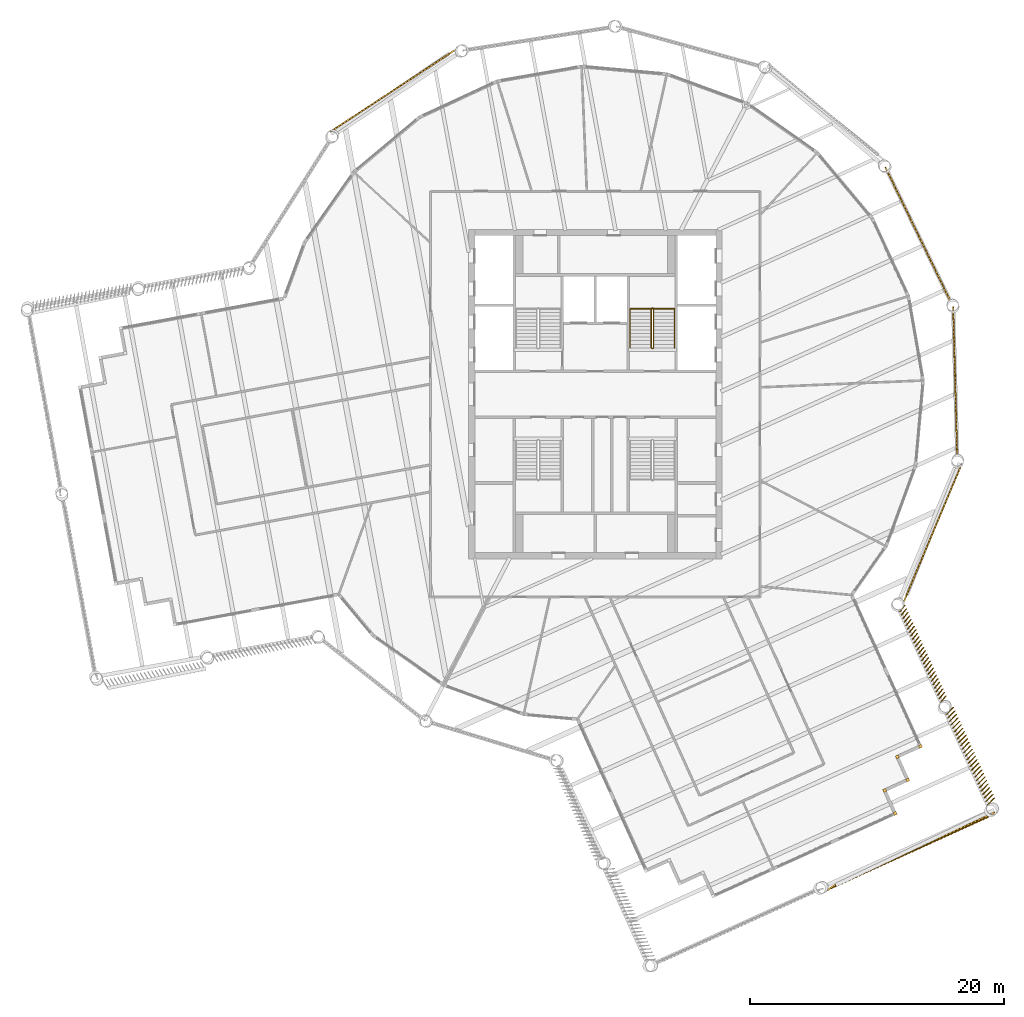
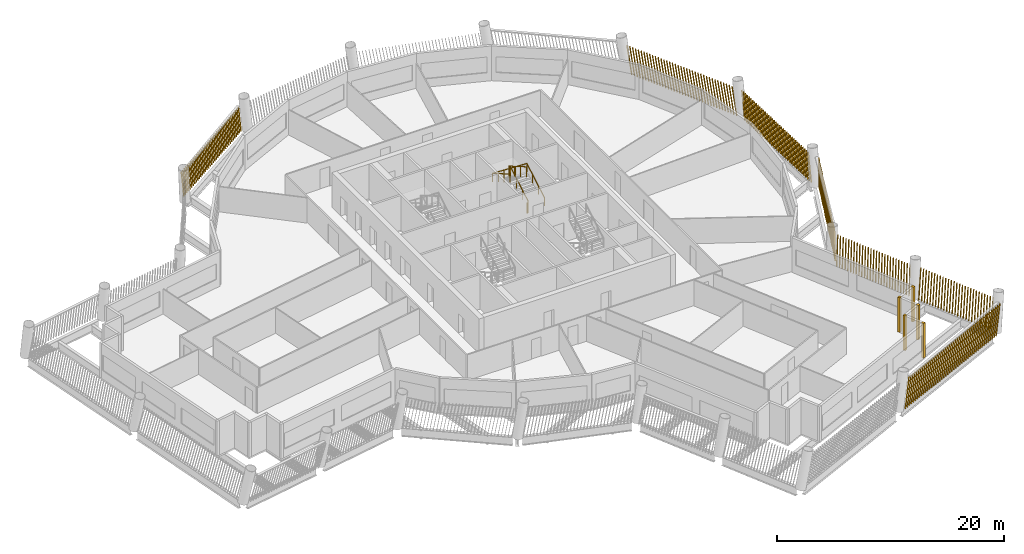
# One storey, part 13 of 15: 12 shading devices, 2 railings.
"""IFC4 building model written with IfcOpenShell, lengths in metres."""

from ifc_helpers import new_model, si_unit, direction, frame, frame_2d, origin, origin_2d, place, context, subcontext, project, spatial, rectangle, circle, composite_profile, extrude, material, type_object, element, save


model = new_model("IFC4")

# Units and contexts
model_context = context("Model", 3, precision=1e-05, world=origin(), true_north=direction((0.0, 1.0)))
body_context = subcontext(model_context, "Body", "Model", "MODEL_VIEW")
ifc_project = project(units=[si_unit("LENGTHUNIT", "METRE"), si_unit("AREAUNIT", "SQUARE_METRE"), si_unit("VOLUMEUNIT", "CUBIC_METRE"), si_unit("PLANEANGLEUNIT", "RADIAN"), si_unit("MASSUNIT", "GRAM", prefix="KILO")], contexts=[model_context])

# Site, building, storey
site_placement = place(None, origin())
site = spatial("IfcSite", under=ifc_project, at=site_placement, CompositionType="ELEMENT")
building_placement = place(site_placement, origin())
building = spatial("IfcBuilding", under=site, at=building_placement, Name="Tarsis Ring Headquarters", CompositionType="ELEMENT")
storey_placement = place(building_placement, frame((0.0, 0.0, 327.5)))
storey = spatial("IfcBuildingStorey", under=building, at=storey_placement, Name="L77", CompositionType="ELEMENT", Elevation=327.5)

# Railings
ifc_material_1 = material(Name="Steel S355", Category="steel")
railing_type_1 = type_object("IfcRailingType", Name="Core stair guard 1100", PredefinedType="GUARDRAIL", material=ifc_material_1)
railing_1_placement = place(storey_placement, frame((4.4599609375, 3.610107421875, 0.0)))
element("IfcRailing", 1, at=railing_1_placement, inside=storey, type_object=railing_type_1, Name="L77 ST2 stair guard 1", PredefinedType="GUARDRAIL", context=body_context, shape_type="SweptSolid", body=[
    extrude(circle(Radius=0.02392578125, at=origin_2d()), frame((0.0, 0.0, 1.076171875), z_axis=(1.0, 0.0, 0.0), x_axis=(0.0, 1.0, 0.0)), (0.0, 0.0, 1.0), 0.080078125),
    extrude(circle(Radius=0.02392578125, at=origin_2d()), frame((0.080078125, 0.0, 1.076171875), z_axis=(0.282336740067, 0.280959487676, 0.917250092119), x_axis=(-0.705375805398, 0.708833529934, 0.0)), (0.0, 0.0, 1.0), 0.17724609375),
    extrude(circle(Radius=0.02392578125, at=origin_2d()), frame((0.130126953125, 0.0498046875, 1.23876953125), z_axis=(0.0, 0.864920483161, 0.501908913857), x_axis=(-1.0, 0.0, 0.0)), (0.0, 0.0, 1.0), 3.56103515625),
    extrude(circle(Radius=0.02392578125, at=origin_2d()), frame((0.130126953125, 3.1298828125, 3.02587890625), z_axis=(-0.707106781187, 0.707106781187, 0.0), x_axis=(-0.707106781187, -0.707106781187, 0.0)), (0.0, 0.0, 1.0), 0.07080078125),
    extrude(circle(Radius=0.02392578125, at=origin_2d()), frame((0.080078125, 3.179931640625, 3.02587890625), z_axis=(-1.0, 0.0, 0.0), x_axis=(0.0, -1.0, 0.0)), (0.0, 0.0, 1.0), 0.080078125),
    extrude(circle(Radius=0.02392578125, at=origin_2d()), frame((0.0, 3.179931640625, 3.02587890625), z_axis=(-0.282227285176, -0.282227285176, 0.916894497205), x_axis=(0.707106781187, -0.707106781187, 0.0)), (0.0, 0.0, 1.0), 0.17724609375),
    extrude(circle(Radius=0.02392578125, at=origin_2d()), frame((-0.050048828125, 3.1298828125, 3.1884765625), z_axis=(0.0, -0.864920483161, 0.501908913857), x_axis=(1.0, 0.0, 0.0)), (0.0, 0.0, 1.0), 3.56103515625),
    extrude(circle(Radius=0.02099609375, at=origin_2d()), origin(), (0.0, 0.0, 1.0), 1.052001953125),
    extrude(circle(Radius=0.02099609375, at=origin_2d()), frame((0.080078125, 0.0, 0.0)), (0.0, 0.0, 1.0), 1.052001953125),
    extrude(circle(Radius=0.02099609375, at=origin_2d()), frame((0.130126953125, 0.0498046875, 0.16259765625)), (0.0, 0.0, 1.0), 1.052001953125),
    extrude(circle(Radius=0.02099609375, at=origin_2d()), frame((0.130126953125, 1.076416015625, 0.75830078125)), (0.0, 0.0, 1.0), 1.052001953125),
    extrude(circle(Radius=0.02099609375, at=origin_2d()), frame((0.130126953125, 2.103271484375, 1.354248046875)), (0.0, 0.0, 1.0), 1.052001953125),
    extrude(circle(Radius=0.02099609375, at=origin_2d()), frame((0.130126953125, 3.1298828125, 1.949951171875)), (0.0, 0.0, 1.0), 1.052001953125),
    extrude(circle(Radius=0.02099609375, at=origin_2d()), frame((0.080078125, 3.179931640625, 1.949951171875)), (0.0, 0.0, 1.0), 1.052001953125),
    extrude(circle(Radius=0.02099609375, at=origin_2d()), frame((0.0, 3.179931640625, 1.949951171875)), (0.0, 0.0, 1.0), 1.052001953125),
    extrude(circle(Radius=0.02099609375, at=origin_2d()), frame((-0.050048828125, 3.1298828125, 2.112548828125)), (0.0, 0.0, 1.0), 1.052001953125),
    extrude(circle(Radius=0.02099609375, at=origin_2d()), frame((-0.050048828125, 2.103271484375, 2.708251953125)), (0.0, 0.0, 1.0), 1.052001953125),
    extrude(circle(Radius=0.02099609375, at=origin_2d()), frame((-0.050048828125, 1.076416015625, 3.30419921875)), (0.0, 0.0, 1.0), 1.052001953125),
    extrude(circle(Radius=0.02099609375, at=origin_2d()), frame((-0.050048828125, 0.0498046875, 3.89990234375)), (0.0, 0.0, 1.0), 1.052001953125),
])
railing_type_2 = type_object("IfcRailingType", Name="Core stair handrail 900", PredefinedType="HANDRAIL", material=ifc_material_1)
railing_2_placement = place(storey_placement, frame((6.25, 3.659912109375, 0.16259765625)))
element("IfcRailing", 2, at=railing_2_placement, inside=storey, type_object=railing_type_2, Name="L77 ST2 stair handrail 1", PredefinedType="HANDRAIL", context=body_context, shape_type="SweptSolid", body=[
    extrude(circle(Radius=0.02392578125, at=origin_2d()), frame((0.0, 0.0, 0.8759765625), z_axis=(0.0, 0.864920483161, 0.501908913857), x_axis=(-1.0, 0.0, 0.0)), (0.0, 0.0, 1.0), 3.56103515625),
    extrude(circle(Radius=0.02392578125, at=origin_2d()), frame((0.0, 3.080078125, 2.6630859375), z_axis=(-0.998922641604, 0.0, 0.046406422943), x_axis=(0.0, -1.0, 0.0)), (0.0, 0.0, 1.0), 3.503662109375),
    extrude(circle(Radius=0.02392578125, at=origin_2d()), frame((-3.5, 3.080078125, 2.82568359375), z_axis=(0.0, -0.864920483161, 0.501908913857), x_axis=(1.0, 0.0, 0.0)), (0.0, 0.0, 1.0), 3.56103515625),
    extrude(circle(Radius=0.02099609375, at=origin_2d()), origin(), (0.0, 0.0, 1.0), 0.851806640625),
    extrude(circle(Radius=0.02099609375, at=origin_2d()), frame((0.0, 1.026611328125, 0.595703125)), (0.0, 0.0, 1.0), 0.851806640625),
    extrude(circle(Radius=0.02099609375, at=origin_2d()), frame((0.0, 2.053466796875, 1.191650390625)), (0.0, 0.0, 1.0), 0.851806640625),
    extrude(circle(Radius=0.02099609375, at=origin_2d()), frame((0.0, 3.080078125, 1.787353515625)), (0.0, 0.0, 1.0), 0.851806640625),
    extrude(circle(Radius=0.02099609375, at=origin_2d()), frame((-1.166748046875, 3.080078125, 1.841552734375)), (0.0, 0.0, 1.0), 0.851806640625),
    extrude(circle(Radius=0.02099609375, at=origin_2d()), frame((-2.333251953125, 3.080078125, 1.895751953125)), (0.0, 0.0, 1.0), 0.851806640625),
    extrude(circle(Radius=0.02099609375, at=origin_2d()), frame((-3.5, 3.080078125, 1.949951171875)), (0.0, 0.0, 1.0), 0.851806640625),
    extrude(circle(Radius=0.02099609375, at=origin_2d()), frame((-3.5, 2.053466796875, 2.545654296875)), (0.0, 0.0, 1.0), 0.851806640625),
    extrude(circle(Radius=0.02099609375, at=origin_2d()), frame((-3.5, 1.026611328125, 3.1416015625)), (0.0, 0.0, 1.0), 0.851806640625),
    extrude(circle(Radius=0.02099609375, at=origin_2d()), frame((-3.5, 0.0, 3.7373046875)), (0.0, 0.0, 1.0), 0.851806640625),
])

# Shading devices
ifc_material_2 = material(Name="Terracotta baguette", Category="masonry")
shading_device_type_1 = type_object("IfcShadingDeviceType", Name="Terracotta baguette screen", PredefinedType="USERDEFINED", material=ifc_material_2)
shading_device_1_placement = place(storey_placement, frame((18.291015625, -39.1123046875, 0.0), z_axis=(0.0, 0.0, 1.0), x_axis=(0.910678271946, 0.413101935393, 0.0)))
element("IfcShadingDevice", 3, at=shading_device_1_placement, inside=storey, type_object=shading_device_type_1, Name="Baguette screen L77-04", ObjectType="Terracotta baguette screen", PredefinedType="USERDEFINED", context=body_context, shape_type="SweptSolid", body=[
    extrude(composite_profile([rectangle(XDim=0.06005859375, YDim=0.1201171875, at=frame_2d((0.030029296875, 0.0))), rectangle(XDim=0.06005859375, YDim=0.1201171875, at=frame_2d((0.33544921875, 0.0))), rectangle(XDim=0.06005859375, YDim=0.1201171875, at=frame_2d((0.640625, 0.0))), rectangle(XDim=0.06005859375, YDim=0.1201171875, at=frame_2d((0.946044921875, 0.0))), rectangle(XDim=0.06005859375, YDim=0.1201171875, at=frame_2d((1.25146484375, 0.0))), rectangle(XDim=0.06005859375, YDim=0.1201171875, at=frame_2d((1.556640625, 0.0))), rectangle(XDim=0.06005859375, YDim=0.1201171875, at=frame_2d((1.862060546875, 0.0))), rectangle(XDim=0.06005859375, YDim=0.1201171875, at=frame_2d((2.16748046875, 0.0))), rectangle(XDim=0.06005859375, YDim=0.1201171875, at=frame_2d((2.47265625, 0.0))), rectangle(XDim=0.06005859375, YDim=0.1201171875, at=frame_2d((2.778076171875, 0.0))), rectangle(XDim=0.06005859375, YDim=0.1201171875, at=frame_2d((3.08349609375, 0.0))), rectangle(XDim=0.06005859375, YDim=0.1201171875, at=frame_2d((3.388671875, 0.0))), rectangle(XDim=0.06005859375, YDim=0.1201171875, at=frame_2d((3.694091796875, 0.0))), rectangle(XDim=0.06005859375, YDim=0.1201171875, at=frame_2d((3.99951171875, 0.0))), rectangle(XDim=0.06005859375, YDim=0.1201171875, at=frame_2d((4.3046875, 0.0))), rectangle(XDim=0.06005859375, YDim=0.1201171875, at=frame_2d((4.610107421875, 0.0))), rectangle(XDim=0.06005859375, YDim=0.1201171875, at=frame_2d((4.91552734375, 0.0))), rectangle(XDim=0.06005859375, YDim=0.1201171875, at=frame_2d((5.220703125, 0.0))), rectangle(XDim=0.06005859375, YDim=0.1201171875, at=frame_2d((5.526123046875, 0.0))), rectangle(XDim=0.06005859375, YDim=0.1201171875, at=frame_2d((5.83154296875, 0.0))), rectangle(XDim=0.06005859375, YDim=0.1201171875, at=frame_2d((6.13671875, 0.0))), rectangle(XDim=0.06005859375, YDim=0.1201171875, at=frame_2d((6.442138671875, 0.0))), rectangle(XDim=0.06005859375, YDim=0.1201171875, at=frame_2d((6.74755859375, 0.0))), rectangle(XDim=0.06005859375, YDim=0.1201171875, at=frame_2d((7.052734375, 0.0))), rectangle(XDim=0.06005859375, YDim=0.1201171875, at=frame_2d((7.358154296875, 0.0))), rectangle(XDim=0.06005859375, YDim=0.1201171875, at=frame_2d((7.66357421875, 0.0))), rectangle(XDim=0.06005859375, YDim=0.1201171875, at=frame_2d((7.96875, 0.0))), rectangle(XDim=0.06005859375, YDim=0.1201171875, at=frame_2d((8.274169921875, 0.0))), rectangle(XDim=0.06005859375, YDim=0.1201171875, at=frame_2d((8.57958984375, 0.0))), rectangle(XDim=0.06005859375, YDim=0.1201171875, at=frame_2d((8.884765625, 0.0))), rectangle(XDim=0.06005859375, YDim=0.1201171875, at=frame_2d((9.190185546875, 0.0))), rectangle(XDim=0.06005859375, YDim=0.1201171875, at=frame_2d((9.49560546875, 0.0))), rectangle(XDim=0.06005859375, YDim=0.1201171875, at=frame_2d((9.80078125, 0.0))), rectangle(XDim=0.06005859375, YDim=0.1201171875, at=frame_2d((10.106201171875, 0.0))), rectangle(XDim=0.06005859375, YDim=0.1201171875, at=frame_2d((10.41162109375, 0.0))), rectangle(XDim=0.06005859375, YDim=0.1201171875, at=frame_2d((10.716796875, 0.0))), rectangle(XDim=0.06005859375, YDim=0.1201171875, at=frame_2d((11.022216796875, 0.0))), rectangle(XDim=0.06005859375, YDim=0.1201171875, at=frame_2d((11.32763671875, 0.0))), rectangle(XDim=0.06005859375, YDim=0.1201171875, at=frame_2d((11.6328125, 0.0))), rectangle(XDim=0.06005859375, YDim=0.1201171875, at=frame_2d((11.938232421875, 0.0))), rectangle(XDim=0.06005859375, YDim=0.1201171875, at=frame_2d((12.24365234375, 0.0))), rectangle(XDim=0.06005859375, YDim=0.1201171875, at=frame_2d((12.548828125, 0.0))), rectangle(XDim=0.06005859375, YDim=0.1201171875, at=frame_2d((12.854248046875, 0.0))), rectangle(XDim=0.06005859375, YDim=0.1201171875, at=frame_2d((13.15966796875, 0.0))), rectangle(XDim=0.06005859375, YDim=0.1201171875, at=frame_2d((13.46484375, 0.0))), rectangle(XDim=0.06005859375, YDim=0.1201171875, at=frame_2d((13.770263671875, 0.0)))]), origin(), (0.254658337871, 0.046030296973, 0.965934957807), 3.072509765625),
])
shading_device_2_placement = place(storey_placement, frame((30.952392578125, -32.407958984375, 0.0), z_axis=(0.0, 0.0, 1.0), x_axis=(-0.413093178448, 0.910683391003, 0.0)))
element("IfcShadingDevice", 4, at=shading_device_2_placement, inside=storey, type_object=shading_device_type_1, Name="Baguette screen L77-05", ObjectType="Terracotta baguette screen", PredefinedType="USERDEFINED", context=body_context, shape_type="SweptSolid", body=[
    extrude(composite_profile([rectangle(XDim=0.06005859375, YDim=0.1201171875, at=frame_2d((0.030029296875, 0.0))), rectangle(XDim=0.06005859375, YDim=0.1201171875, at=frame_2d((0.33154296875, 0.0))), rectangle(XDim=0.06005859375, YDim=0.1201171875, at=frame_2d((0.63330078125, 0.0))), rectangle(XDim=0.06005859375, YDim=0.1201171875, at=frame_2d((0.934814453125, 0.0))), rectangle(XDim=0.06005859375, YDim=0.1201171875, at=frame_2d((1.236572265625, 0.0))), rectangle(XDim=0.06005859375, YDim=0.1201171875, at=frame_2d((1.5380859375, 0.0))), rectangle(XDim=0.06005859375, YDim=0.1201171875, at=frame_2d((1.83984375, 0.0))), rectangle(XDim=0.06005859375, YDim=0.1201171875, at=frame_2d((2.141357421875, 0.0))), rectangle(XDim=0.06005859375, YDim=0.1201171875, at=frame_2d((2.443115234375, 0.0))), rectangle(XDim=0.06005859375, YDim=0.1201171875, at=frame_2d((2.74462890625, 0.0))), rectangle(XDim=0.06005859375, YDim=0.1201171875, at=frame_2d((3.04638671875, 0.0))), rectangle(XDim=0.06005859375, YDim=0.1201171875, at=frame_2d((3.347900390625, 0.0))), rectangle(XDim=0.06005859375, YDim=0.1201171875, at=frame_2d((3.649658203125, 0.0))), rectangle(XDim=0.06005859375, YDim=0.1201171875, at=frame_2d((3.951171875, 0.0))), rectangle(XDim=0.06005859375, YDim=0.1201171875, at=frame_2d((4.252685546875, 0.0))), rectangle(XDim=0.06005859375, YDim=0.1201171875, at=frame_2d((4.554443359375, 0.0))), rectangle(XDim=0.06005859375, YDim=0.1201171875, at=frame_2d((4.85595703125, 0.0))), rectangle(XDim=0.06005859375, YDim=0.1201171875, at=frame_2d((5.15771484375, 0.0))), rectangle(XDim=0.06005859375, YDim=0.1201171875, at=frame_2d((5.459228515625, 0.0))), rectangle(XDim=0.06005859375, YDim=0.1201171875, at=frame_2d((5.760986328125, 0.0))), rectangle(XDim=0.06005859375, YDim=0.1201171875, at=frame_2d((6.0625, 0.0))), rectangle(XDim=0.06005859375, YDim=0.1201171875, at=frame_2d((6.3642578125, 0.0))), rectangle(XDim=0.06005859375, YDim=0.1201171875, at=frame_2d((6.665771484375, 0.0))), rectangle(XDim=0.06005859375, YDim=0.1201171875, at=frame_2d((6.967529296875, 0.0))), rectangle(XDim=0.06005859375, YDim=0.1201171875, at=frame_2d((7.26904296875, 0.0))), rectangle(XDim=0.06005859375, YDim=0.1201171875, at=frame_2d((7.57080078125, 0.0))), rectangle(XDim=0.06005859375, YDim=0.1201171875, at=frame_2d((7.872314453125, 0.0)))]), origin(), (0.089849321494, -0.226658842464, 0.969821049761), 3.06005859375),
])
shading_device_3_placement = place(storey_placement, frame((27.27490234375, -24.30078125, 0.0), z_axis=(0.0, 0.0, 1.0), x_axis=(-0.413105941236, 0.910680631507, 0.0)))
element("IfcShadingDevice", 5, at=shading_device_3_placement, inside=storey, type_object=shading_device_type_1, Name="Baguette screen L77-06", ObjectType="Terracotta baguette screen", PredefinedType="USERDEFINED", context=body_context, shape_type="SweptSolid", body=[
    extrude(composite_profile([rectangle(XDim=0.06005859375, YDim=0.1201171875, at=frame_2d((0.030029296875, 0.0))), rectangle(XDim=0.06005859375, YDim=0.1201171875, at=frame_2d((0.33154296875, 0.0))), rectangle(XDim=0.06005859375, YDim=0.1201171875, at=frame_2d((0.63330078125, 0.0))), rectangle(XDim=0.06005859375, YDim=0.1201171875, at=frame_2d((0.934814453125, 0.0))), rectangle(XDim=0.06005859375, YDim=0.1201171875, at=frame_2d((1.236572265625, 0.0))), rectangle(XDim=0.06005859375, YDim=0.1201171875, at=frame_2d((1.5380859375, 0.0))), rectangle(XDim=0.06005859375, YDim=0.1201171875, at=frame_2d((1.83984375, 0.0))), rectangle(XDim=0.06005859375, YDim=0.1201171875, at=frame_2d((2.141357421875, 0.0))), rectangle(XDim=0.06005859375, YDim=0.1201171875, at=frame_2d((2.443115234375, 0.0))), rectangle(XDim=0.06005859375, YDim=0.1201171875, at=frame_2d((2.74462890625, 0.0))), rectangle(XDim=0.06005859375, YDim=0.1201171875, at=frame_2d((3.04638671875, 0.0))), rectangle(XDim=0.06005859375, YDim=0.1201171875, at=frame_2d((3.347900390625, 0.0))), rectangle(XDim=0.06005859375, YDim=0.1201171875, at=frame_2d((3.649658203125, 0.0))), rectangle(XDim=0.06005859375, YDim=0.1201171875, at=frame_2d((3.951171875, 0.0))), rectangle(XDim=0.06005859375, YDim=0.1201171875, at=frame_2d((4.252685546875, 0.0))), rectangle(XDim=0.06005859375, YDim=0.1201171875, at=frame_2d((4.554443359375, 0.0))), rectangle(XDim=0.06005859375, YDim=0.1201171875, at=frame_2d((4.85595703125, 0.0))), rectangle(XDim=0.06005859375, YDim=0.1201171875, at=frame_2d((5.15771484375, 0.0))), rectangle(XDim=0.06005859375, YDim=0.1201171875, at=frame_2d((5.459228515625, 0.0))), rectangle(XDim=0.06005859375, YDim=0.1201171875, at=frame_2d((5.760986328125, 0.0))), rectangle(XDim=0.06005859375, YDim=0.1201171875, at=frame_2d((6.0625, 0.0))), rectangle(XDim=0.06005859375, YDim=0.1201171875, at=frame_2d((6.3642578125, 0.0))), rectangle(XDim=0.06005859375, YDim=0.1201171875, at=frame_2d((6.665771484375, 0.0))), rectangle(XDim=0.06005859375, YDim=0.1201171875, at=frame_2d((6.967529296875, 0.0))), rectangle(XDim=0.06005859375, YDim=0.1201171875, at=frame_2d((7.26904296875, 0.0))), rectangle(XDim=0.06005859375, YDim=0.1201171875, at=frame_2d((7.57080078125, 0.0))), rectangle(XDim=0.06005859375, YDim=0.1201171875, at=frame_2d((7.872314453125, 0.0)))]), origin(), (0.090331685738, -0.175734834187, 0.980284374355), 3.02734375),
])
shading_device_4_placement = place(storey_placement, frame((24.34326171875, -16.33349609375, 0.0), z_axis=(0.0, 0.0, 1.0), x_axis=(0.387490233527, 0.921868217727, 0.0)))
element("IfcShadingDevice", 6, at=shading_device_4_placement, inside=storey, type_object=shading_device_type_1, Name="Baguette screen L77-07", ObjectType="Terracotta baguette screen", PredefinedType="USERDEFINED", context=body_context, shape_type="SweptSolid", body=[
    extrude(composite_profile([rectangle(XDim=0.06005859375, YDim=0.1201171875, at=frame_2d((0.030029296875, 0.0))), rectangle(XDim=0.06005859375, YDim=0.1201171875, at=frame_2d((0.33251953125, 0.0))), rectangle(XDim=0.06005859375, YDim=0.1201171875, at=frame_2d((0.634765625, 0.0))), rectangle(XDim=0.06005859375, YDim=0.1201171875, at=frame_2d((0.937255859375, 0.0))), rectangle(XDim=0.06005859375, YDim=0.1201171875, at=frame_2d((1.239501953125, 0.0))), rectangle(XDim=0.06005859375, YDim=0.1201171875, at=frame_2d((1.5419921875, 0.0))), rectangle(XDim=0.06005859375, YDim=0.1201171875, at=frame_2d((1.844482421875, 0.0))), rectangle(XDim=0.06005859375, YDim=0.1201171875, at=frame_2d((2.146728515625, 0.0))), rectangle(XDim=0.06005859375, YDim=0.1201171875, at=frame_2d((2.44921875, 0.0))), rectangle(XDim=0.06005859375, YDim=0.1201171875, at=frame_2d((2.751708984375, 0.0))), rectangle(XDim=0.06005859375, YDim=0.1201171875, at=frame_2d((3.053955078125, 0.0))), rectangle(XDim=0.06005859375, YDim=0.1201171875, at=frame_2d((3.3564453125, 0.0))), rectangle(XDim=0.06005859375, YDim=0.1201171875, at=frame_2d((3.65869140625, 0.0))), rectangle(XDim=0.06005859375, YDim=0.1201171875, at=frame_2d((3.961181640625, 0.0))), rectangle(XDim=0.06005859375, YDim=0.1201171875, at=frame_2d((4.263671875, 0.0))), rectangle(XDim=0.06005859375, YDim=0.1201171875, at=frame_2d((4.56591796875, 0.0))), rectangle(XDim=0.06005859375, YDim=0.1201171875, at=frame_2d((4.868408203125, 0.0))), rectangle(XDim=0.06005859375, YDim=0.1201171875, at=frame_2d((5.1708984375, 0.0))), rectangle(XDim=0.06005859375, YDim=0.1201171875, at=frame_2d((5.47314453125, 0.0))), rectangle(XDim=0.06005859375, YDim=0.1201171875, at=frame_2d((5.775634765625, 0.0))), rectangle(XDim=0.06005859375, YDim=0.1201171875, at=frame_2d((6.077880859375, 0.0))), rectangle(XDim=0.06005859375, YDim=0.1201171875, at=frame_2d((6.38037109375, 0.0))), rectangle(XDim=0.06005859375, YDim=0.1201171875, at=frame_2d((6.682861328125, 0.0))), rectangle(XDim=0.06005859375, YDim=0.1201171875, at=frame_2d((6.985107421875, 0.0))), rectangle(XDim=0.06005859375, YDim=0.1201171875, at=frame_2d((7.28759765625, 0.0))), rectangle(XDim=0.06005859375, YDim=0.1201171875, at=frame_2d((7.590087890625, 0.0))), rectangle(XDim=0.06005859375, YDim=0.1201171875, at=frame_2d((7.892333984375, 0.0))), rectangle(XDim=0.06005859375, YDim=0.1201171875, at=frame_2d((8.19482421875, 0.0))), rectangle(XDim=0.06005859375, YDim=0.1201171875, at=frame_2d((8.4970703125, 0.0))), rectangle(XDim=0.06005859375, YDim=0.1201171875, at=frame_2d((8.799560546875, 0.0))), rectangle(XDim=0.06005859375, YDim=0.1201171875, at=frame_2d((9.10205078125, 0.0))), rectangle(XDim=0.06005859375, YDim=0.1201171875, at=frame_2d((9.404296875, 0.0))), rectangle(XDim=0.06005859375, YDim=0.1201171875, at=frame_2d((9.706787109375, 0.0))), rectangle(XDim=0.06005859375, YDim=0.1201171875, at=frame_2d((10.00927734375, 0.0))), rectangle(XDim=0.06005859375, YDim=0.1201171875, at=frame_2d((10.3115234375, 0.0))), rectangle(XDim=0.06005859375, YDim=0.1201171875, at=frame_2d((10.614013671875, 0.0))), rectangle(XDim=0.06005859375, YDim=0.1201171875, at=frame_2d((10.916259765625, 0.0))), rectangle(XDim=0.06005859375, YDim=0.1201171875, at=frame_2d((11.21875, 0.0)))]), origin(), (0.173292731134, 0.001572553366, 0.984869106233), 3.013427734375),
])
shading_device_5_placement = place(storey_placement, frame((28.536865234375, -4.857421875, 0.0), z_axis=(0.0, 0.0, 1.0), x_axis=(-0.026955464884, 0.999631044361, 0.0)))
element("IfcShadingDevice", 7, at=shading_device_5_placement, inside=storey, type_object=shading_device_type_1, Name="Baguette screen L77-08", ObjectType="Terracotta baguette screen", PredefinedType="USERDEFINED", context=body_context, shape_type="SweptSolid", body=[
    extrude(composite_profile([rectangle(XDim=0.06005859375, YDim=0.1201171875, at=frame_2d((0.030029296875, 0.0))), rectangle(XDim=0.06005859375, YDim=0.1201171875, at=frame_2d((0.33251953125, 0.0))), rectangle(XDim=0.06005859375, YDim=0.1201171875, at=frame_2d((0.634765625, 0.0))), rectangle(XDim=0.06005859375, YDim=0.1201171875, at=frame_2d((0.937255859375, 0.0))), rectangle(XDim=0.06005859375, YDim=0.1201171875, at=frame_2d((1.239501953125, 0.0))), rectangle(XDim=0.06005859375, YDim=0.1201171875, at=frame_2d((1.5419921875, 0.0))), rectangle(XDim=0.06005859375, YDim=0.1201171875, at=frame_2d((1.844482421875, 0.0))), rectangle(XDim=0.06005859375, YDim=0.1201171875, at=frame_2d((2.146728515625, 0.0))), rectangle(XDim=0.06005859375, YDim=0.1201171875, at=frame_2d((2.44921875, 0.0))), rectangle(XDim=0.06005859375, YDim=0.1201171875, at=frame_2d((2.751708984375, 0.0))), rectangle(XDim=0.06005859375, YDim=0.1201171875, at=frame_2d((3.053955078125, 0.0))), rectangle(XDim=0.06005859375, YDim=0.1201171875, at=frame_2d((3.3564453125, 0.0))), rectangle(XDim=0.06005859375, YDim=0.1201171875, at=frame_2d((3.65869140625, 0.0))), rectangle(XDim=0.06005859375, YDim=0.1201171875, at=frame_2d((3.961181640625, 0.0))), rectangle(XDim=0.06005859375, YDim=0.1201171875, at=frame_2d((4.263671875, 0.0))), rectangle(XDim=0.06005859375, YDim=0.1201171875, at=frame_2d((4.56591796875, 0.0))), rectangle(XDim=0.06005859375, YDim=0.1201171875, at=frame_2d((4.868408203125, 0.0))), rectangle(XDim=0.06005859375, YDim=0.1201171875, at=frame_2d((5.1708984375, 0.0))), rectangle(XDim=0.06005859375, YDim=0.1201171875, at=frame_2d((5.47314453125, 0.0))), rectangle(XDim=0.06005859375, YDim=0.1201171875, at=frame_2d((5.775634765625, 0.0))), rectangle(XDim=0.06005859375, YDim=0.1201171875, at=frame_2d((6.077880859375, 0.0))), rectangle(XDim=0.06005859375, YDim=0.1201171875, at=frame_2d((6.38037109375, 0.0))), rectangle(XDim=0.06005859375, YDim=0.1201171875, at=frame_2d((6.682861328125, 0.0))), rectangle(XDim=0.06005859375, YDim=0.1201171875, at=frame_2d((6.985107421875, 0.0))), rectangle(XDim=0.06005859375, YDim=0.1201171875, at=frame_2d((7.28759765625, 0.0))), rectangle(XDim=0.06005859375, YDim=0.1201171875, at=frame_2d((7.590087890625, 0.0))), rectangle(XDim=0.06005859375, YDim=0.1201171875, at=frame_2d((7.892333984375, 0.0))), rectangle(XDim=0.06005859375, YDim=0.1201171875, at=frame_2d((8.19482421875, 0.0))), rectangle(XDim=0.06005859375, YDim=0.1201171875, at=frame_2d((8.4970703125, 0.0))), rectangle(XDim=0.06005859375, YDim=0.1201171875, at=frame_2d((8.799560546875, 0.0))), rectangle(XDim=0.06005859375, YDim=0.1201171875, at=frame_2d((9.10205078125, 0.0))), rectangle(XDim=0.06005859375, YDim=0.1201171875, at=frame_2d((9.404296875, 0.0))), rectangle(XDim=0.06005859375, YDim=0.1201171875, at=frame_2d((9.706787109375, 0.0))), rectangle(XDim=0.06005859375, YDim=0.1201171875, at=frame_2d((10.00927734375, 0.0))), rectangle(XDim=0.06005859375, YDim=0.1201171875, at=frame_2d((10.3115234375, 0.0))), rectangle(XDim=0.06005859375, YDim=0.1201171875, at=frame_2d((10.614013671875, 0.0))), rectangle(XDim=0.06005859375, YDim=0.1201171875, at=frame_2d((10.916259765625, 0.0))), rectangle(XDim=0.06005859375, YDim=0.1201171875, at=frame_2d((11.21875, 0.0)))]), origin(), (0.171100500076, 0.001550358786, 0.985252361206), 3.01220703125),
])
shading_device_6_placement = place(storey_placement, frame((28.001953125, 7.3369140625, 0.0), z_axis=(0.0, 0.0, 1.0), x_axis=(-0.436583036722, 0.899665769598, 0.0)))
element("IfcShadingDevice", 8, at=shading_device_6_placement, inside=storey, type_object=shading_device_type_1, Name="Baguette screen L77-09", ObjectType="Terracotta baguette screen", PredefinedType="USERDEFINED", context=body_context, shape_type="SweptSolid", body=[
    extrude(composite_profile([rectangle(XDim=0.06005859375, YDim=0.1201171875, at=frame_2d((0.030029296875, 0.0))), rectangle(XDim=0.06005859375, YDim=0.1201171875, at=frame_2d((0.33251953125, 0.0))), rectangle(XDim=0.06005859375, YDim=0.1201171875, at=frame_2d((0.634765625, 0.0))), rectangle(XDim=0.06005859375, YDim=0.1201171875, at=frame_2d((0.937255859375, 0.0))), rectangle(XDim=0.06005859375, YDim=0.1201171875, at=frame_2d((1.239501953125, 0.0))), rectangle(XDim=0.06005859375, YDim=0.1201171875, at=frame_2d((1.5419921875, 0.0))), rectangle(XDim=0.06005859375, YDim=0.1201171875, at=frame_2d((1.844482421875, 0.0))), rectangle(XDim=0.06005859375, YDim=0.1201171875, at=frame_2d((2.146728515625, 0.0))), rectangle(XDim=0.06005859375, YDim=0.1201171875, at=frame_2d((2.44921875, 0.0))), rectangle(XDim=0.06005859375, YDim=0.1201171875, at=frame_2d((2.751708984375, 0.0))), rectangle(XDim=0.06005859375, YDim=0.1201171875, at=frame_2d((3.053955078125, 0.0))), rectangle(XDim=0.06005859375, YDim=0.1201171875, at=frame_2d((3.3564453125, 0.0))), rectangle(XDim=0.06005859375, YDim=0.1201171875, at=frame_2d((3.65869140625, 0.0))), rectangle(XDim=0.06005859375, YDim=0.1201171875, at=frame_2d((3.961181640625, 0.0))), rectangle(XDim=0.06005859375, YDim=0.1201171875, at=frame_2d((4.263671875, 0.0))), rectangle(XDim=0.06005859375, YDim=0.1201171875, at=frame_2d((4.56591796875, 0.0))), rectangle(XDim=0.06005859375, YDim=0.1201171875, at=frame_2d((4.868408203125, 0.0))), rectangle(XDim=0.06005859375, YDim=0.1201171875, at=frame_2d((5.1708984375, 0.0))), rectangle(XDim=0.06005859375, YDim=0.1201171875, at=frame_2d((5.47314453125, 0.0))), rectangle(XDim=0.06005859375, YDim=0.1201171875, at=frame_2d((5.775634765625, 0.0))), rectangle(XDim=0.06005859375, YDim=0.1201171875, at=frame_2d((6.077880859375, 0.0))), rectangle(XDim=0.06005859375, YDim=0.1201171875, at=frame_2d((6.38037109375, 0.0))), rectangle(XDim=0.06005859375, YDim=0.1201171875, at=frame_2d((6.682861328125, 0.0))), rectangle(XDim=0.06005859375, YDim=0.1201171875, at=frame_2d((6.985107421875, 0.0))), rectangle(XDim=0.06005859375, YDim=0.1201171875, at=frame_2d((7.28759765625, 0.0))), rectangle(XDim=0.06005859375, YDim=0.1201171875, at=frame_2d((7.590087890625, 0.0))), rectangle(XDim=0.06005859375, YDim=0.1201171875, at=frame_2d((7.892333984375, 0.0))), rectangle(XDim=0.06005859375, YDim=0.1201171875, at=frame_2d((8.19482421875, 0.0))), rectangle(XDim=0.06005859375, YDim=0.1201171875, at=frame_2d((8.4970703125, 0.0))), rectangle(XDim=0.06005859375, YDim=0.1201171875, at=frame_2d((8.799560546875, 0.0))), rectangle(XDim=0.06005859375, YDim=0.1201171875, at=frame_2d((9.10205078125, 0.0))), rectangle(XDim=0.06005859375, YDim=0.1201171875, at=frame_2d((9.404296875, 0.0))), rectangle(XDim=0.06005859375, YDim=0.1201171875, at=frame_2d((9.706787109375, 0.0))), rectangle(XDim=0.06005859375, YDim=0.1201171875, at=frame_2d((10.00927734375, 0.0))), rectangle(XDim=0.06005859375, YDim=0.1201171875, at=frame_2d((10.3115234375, 0.0))), rectangle(XDim=0.06005859375, YDim=0.1201171875, at=frame_2d((10.614013671875, 0.0))), rectangle(XDim=0.06005859375, YDim=0.1201171875, at=frame_2d((10.916259765625, 0.0))), rectangle(XDim=0.06005859375, YDim=0.1201171875, at=frame_2d((11.21875, 0.0)))]), origin(), (0.171101732843, 0.001553630392, 0.985252141967), 3.01220703125),
])
shading_device_7_placement = place(storey_placement, frame((-11.073974609375, 27.14306640625, 0.0), z_axis=(0.0, 0.0, 1.0), x_axis=(-0.836227103047, -0.548376595191, 0.0)))
element("IfcShadingDevice", 9, at=shading_device_7_placement, inside=storey, type_object=shading_device_type_1, Name="Baguette screen L77-13", ObjectType="Terracotta baguette screen", PredefinedType="USERDEFINED", context=body_context, shape_type="SweptSolid", body=[
    extrude(composite_profile([rectangle(XDim=0.06005859375, YDim=0.1201171875, at=frame_2d((0.030029296875, 0.0))), rectangle(XDim=0.06005859375, YDim=0.1201171875, at=frame_2d((0.33251953125, 0.0))), rectangle(XDim=0.06005859375, YDim=0.1201171875, at=frame_2d((0.634765625, 0.0))), rectangle(XDim=0.06005859375, YDim=0.1201171875, at=frame_2d((0.937255859375, 0.0))), rectangle(XDim=0.06005859375, YDim=0.1201171875, at=frame_2d((1.239501953125, 0.0))), rectangle(XDim=0.06005859375, YDim=0.1201171875, at=frame_2d((1.5419921875, 0.0))), rectangle(XDim=0.06005859375, YDim=0.1201171875, at=frame_2d((1.844482421875, 0.0))), rectangle(XDim=0.06005859375, YDim=0.1201171875, at=frame_2d((2.146728515625, 0.0))), rectangle(XDim=0.06005859375, YDim=0.1201171875, at=frame_2d((2.44921875, 0.0))), rectangle(XDim=0.06005859375, YDim=0.1201171875, at=frame_2d((2.751708984375, 0.0))), rectangle(XDim=0.06005859375, YDim=0.1201171875, at=frame_2d((3.053955078125, 0.0))), rectangle(XDim=0.06005859375, YDim=0.1201171875, at=frame_2d((3.3564453125, 0.0))), rectangle(XDim=0.06005859375, YDim=0.1201171875, at=frame_2d((3.65869140625, 0.0))), rectangle(XDim=0.06005859375, YDim=0.1201171875, at=frame_2d((3.961181640625, 0.0))), rectangle(XDim=0.06005859375, YDim=0.1201171875, at=frame_2d((4.263671875, 0.0))), rectangle(XDim=0.06005859375, YDim=0.1201171875, at=frame_2d((4.56591796875, 0.0))), rectangle(XDim=0.06005859375, YDim=0.1201171875, at=frame_2d((4.868408203125, 0.0))), rectangle(XDim=0.06005859375, YDim=0.1201171875, at=frame_2d((5.1708984375, 0.0))), rectangle(XDim=0.06005859375, YDim=0.1201171875, at=frame_2d((5.47314453125, 0.0))), rectangle(XDim=0.06005859375, YDim=0.1201171875, at=frame_2d((5.775634765625, 0.0))), rectangle(XDim=0.06005859375, YDim=0.1201171875, at=frame_2d((6.077880859375, 0.0))), rectangle(XDim=0.06005859375, YDim=0.1201171875, at=frame_2d((6.38037109375, 0.0))), rectangle(XDim=0.06005859375, YDim=0.1201171875, at=frame_2d((6.682861328125, 0.0))), rectangle(XDim=0.06005859375, YDim=0.1201171875, at=frame_2d((6.985107421875, 0.0))), rectangle(XDim=0.06005859375, YDim=0.1201171875, at=frame_2d((7.28759765625, 0.0))), rectangle(XDim=0.06005859375, YDim=0.1201171875, at=frame_2d((7.590087890625, 0.0))), rectangle(XDim=0.06005859375, YDim=0.1201171875, at=frame_2d((7.892333984375, 0.0))), rectangle(XDim=0.06005859375, YDim=0.1201171875, at=frame_2d((8.19482421875, 0.0))), rectangle(XDim=0.06005859375, YDim=0.1201171875, at=frame_2d((8.4970703125, 0.0))), rectangle(XDim=0.06005859375, YDim=0.1201171875, at=frame_2d((8.799560546875, 0.0))), rectangle(XDim=0.06005859375, YDim=0.1201171875, at=frame_2d((9.10205078125, 0.0))), rectangle(XDim=0.06005859375, YDim=0.1201171875, at=frame_2d((9.404296875, 0.0))), rectangle(XDim=0.06005859375, YDim=0.1201171875, at=frame_2d((9.706787109375, 0.0))), rectangle(XDim=0.06005859375, YDim=0.1201171875, at=frame_2d((10.00927734375, 0.0))), rectangle(XDim=0.06005859375, YDim=0.1201171875, at=frame_2d((10.3115234375, 0.0))), rectangle(XDim=0.06005859375, YDim=0.1201171875, at=frame_2d((10.614013671875, 0.0))), rectangle(XDim=0.06005859375, YDim=0.1201171875, at=frame_2d((10.916259765625, 0.0))), rectangle(XDim=0.06005859375, YDim=0.1201171875, at=frame_2d((11.21875, 0.0)))]), origin(), (0.173293291352, 0.001574089252, 0.984869005206), 3.013427734375),
])
shading_device_type_2 = type_object("IfcShadingDeviceType", Name="Terracotta corner baguette 250x250", PredefinedType="USERDEFINED", material=ifc_material_2)
for number, where, z_axis, x_axis, name in (
    (10, (23.644287109375, -33.060302734375, 0.0), (0.0, 0.0, 1.0), (0.910683660806, 0.413104429825, 0.0), "Corner baguette L77-12"),
    (11, (22.81787109375, -31.239013671875, 0.0), (0.0, 0.0, 1.0), (-0.413104779502, 0.910683502185, 0.0), "Corner baguette L77-13"),
    (12, (24.639404296875, -30.412841796875, 0.0), (0.0, 0.0, 1.0), (0.910683797797, 0.41310412783, 0.0), "Corner baguette L77-14"),
    (13, (23.813232421875, -28.59130859375, 0.0), (0.0, 0.0, 1.0), (-0.41310412783, 0.910683797797, 0.0), "Corner baguette L77-15"),
    (14, (25.634521484375, -27.76513671875, 0.0), (0.0, 0.0, 1.0), (0.910683689646, 0.413104366247, 0.0), "Corner baguette L77-16"),
):
    element("IfcShadingDevice", number, at=place(storey_placement, frame(where, z_axis=z_axis, x_axis=x_axis)), inside=storey, type_object=shading_device_type_2, Name=name, ObjectType="Terracotta corner baguette", PredefinedType="USERDEFINED", context=body_context, shape_type="SweptSolid", body=[
        extrude(rectangle(XDim=0.25, YDim=0.25, at=origin_2d()), origin(), (0.0, 0.0, 1.0), 3.739990234375),
    ])

save(model, "model.ifc")
